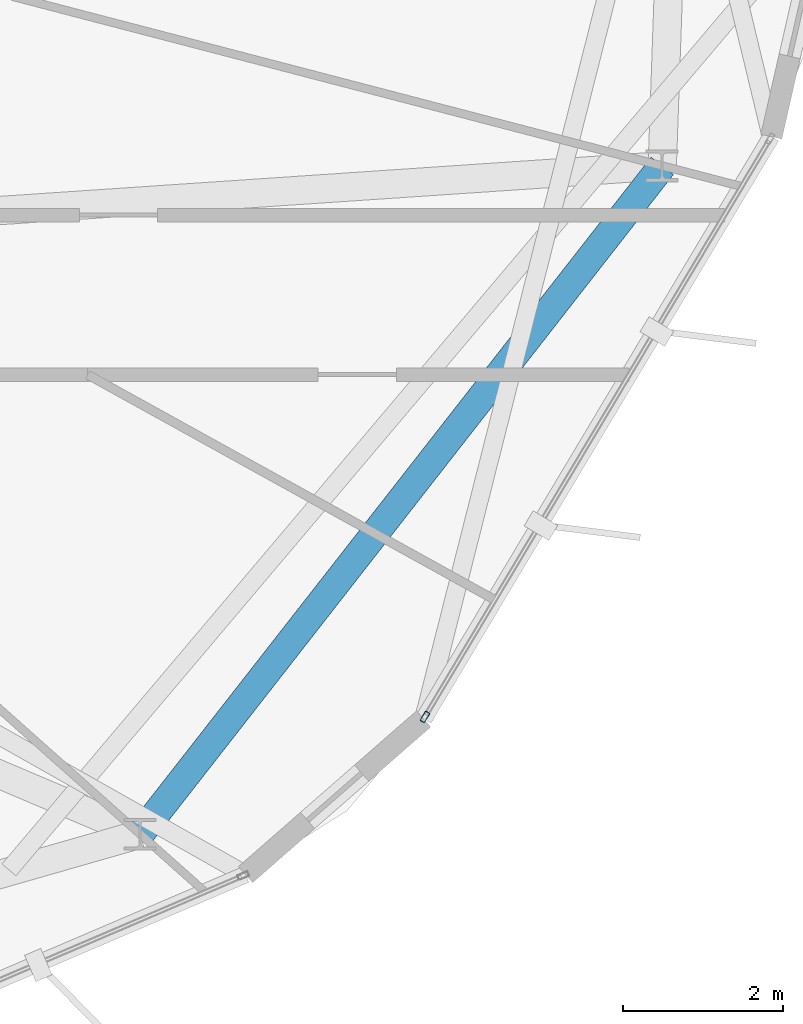
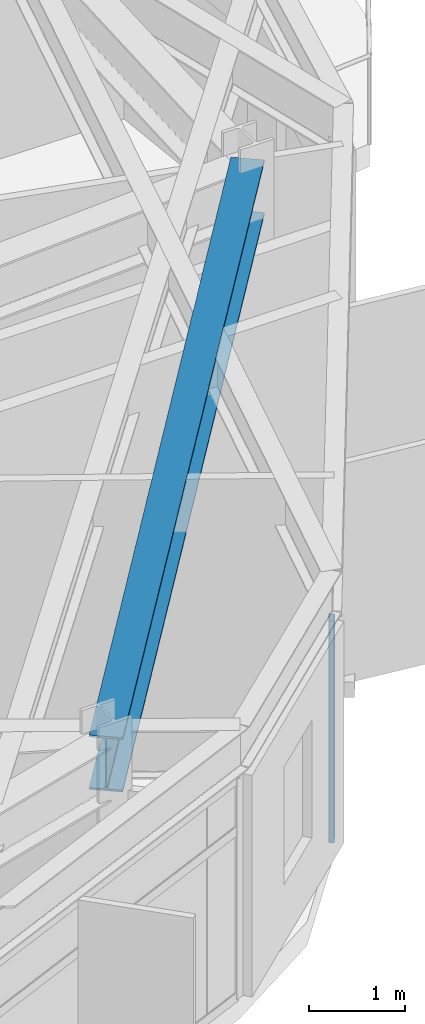
# One storey, part 10 of 23: 1 beam, 1 member, 1 element without a shape of its own.
"""IFC4 building model written with IfcOpenShell, lengths in metres."""

from ifc_helpers import new_model, si_unit, direction, frame, origin, origin_2d, place, context, subcontext, project, spatial, hollow_rectangle, i_section, extrude, material, layer, layer_set, material_profile, profile_set, type_object, element, aggregate, save


model = new_model("IFC4")

# Units and contexts
model_context = context("Model", 3, precision=1e-05, world=origin(), true_north=direction((0.0, 1.0)))
body_context = subcontext(model_context, "Body", "Model", "MODEL_VIEW")
ifc_project = project(units=[si_unit("LENGTHUNIT", "METRE"), si_unit("AREAUNIT", "SQUARE_METRE"), si_unit("VOLUMEUNIT", "CUBIC_METRE"), si_unit("PLANEANGLEUNIT", "RADIAN"), si_unit("MASSUNIT", "GRAM", prefix="KILO")], contexts=[model_context])

# Site, building, storey
site_placement = place(None, origin())
site = spatial("IfcSite", under=ifc_project, at=site_placement, CompositionType="ELEMENT")
building_placement = place(site_placement, origin())
building = spatial("IfcBuilding", under=site, at=building_placement, Name="Soratama Intermodal Tower", CompositionType="ELEMENT")
storey_placement = place(building_placement, frame((0.0, 0.0, 250.0)))
storey = spatial("IfcBuildingStorey", under=building, at=storey_placement, Name="L63", CompositionType="ELEMENT", Elevation=250.0)

# Beam
ifc_material_1 = material(Name="Structural steel ASTM A992 Grade 50", Category="steel")
ifc_material_profile_1 = material_profile(ifc_material_1, i_section(OverallWidth=0.35498046875, OverallDepth=0.695068359375, WebThickness=0.015380859375, FlangeThickness=0.02490234375, FilletRadius=0.01611328125, at=origin_2d()), Name="W27X146")
ifc_profile_set_1 = profile_set([ifc_material_profile_1], Name="Structural steel ASTM A992 Grade 50")
beam_type = type_object("IfcBeamType", Name="BM-RING-W27X146", PredefinedType="BEAM", material=ifc_profile_set_1)
beam_placement = place(storey_placement, frame((54.617919921875, 10.740966796875, 3.1025390625), z_axis=(0.6157278291, 0.787958907858, 0.0), x_axis=(-0.787958907858, 0.6157278291, 0.0)))
element("IfcBeam", 1, at=beam_placement, inside=storey, type_object=beam_type, Name="BM-L63-RING-09", PredefinedType="BEAM", context=body_context, shape_type="SweptSolid", body=[
    extrude(i_section(OverallWidth=0.35498046875, OverallDepth=0.695068359375, WebThickness=0.015380859375, FlangeThickness=0.02490234375, FilletRadius=0.01611328125, at=origin_2d()), origin(), (0.0, 0.0, 1.0), 10.6298828125),
])

# Curtain wall, member
ifc_material_2 = material(Name="Double-glazed aluminium curtain wall", Category="aluminium")
ifc_layer = layer(ifc_material_2, 0.159912109375)
ifc_layer_set = layer_set([ifc_layer], Name="Double-glazed aluminium curtain wall")
curtain_wall_type = type_object("IfcCurtainWallType", Name="CW-SYS-5", PredefinedType="NOTDEFINED", material=ifc_layer_set)
curtain_wall_placement = place(storey_placement, origin())
curtain_wall = element("IfcCurtainWall", 2, at=curtain_wall_placement, inside=storey, type_object=curtain_wall_type, Name="L63 Faceted Curtain Wall F08", PredefinedType="NOTDEFINED")
ifc_material_3 = material(Name="Anodised aluminium AA 6063-T6", Category="aluminium")
ifc_material_profile_2 = material_profile(ifc_material_3, hollow_rectangle(XDim=0.06494140625, YDim=0.139892578125, WallThickness=0.0048828125, InnerFilletRadius=0.0048828125, OuterFilletRadius=0.010009765625, at=origin_2d()), Name="CWM140X65X5")
ifc_profile_set_2 = profile_set([ifc_material_profile_2], Name="Anodised aluminium AA 6063-T6")
member_type = type_object("IfcMemberType", Name="MT-CWM-5", PredefinedType="MULLION", material=ifc_profile_set_2)
member_placement = place(storey_placement, frame((58.1884765625, 12.210693359375, 0.0), z_axis=(0.0, 0.0, 1.0), x_axis=(-0.85860167142, 0.512643316385, 0.0)))
member = element("IfcMember", 3, at=member_placement, type_object=member_type, Name="CW-5 mullion 1", PredefinedType="MULLION", context=body_context, shape_type="SweptSolid", body=[
    extrude(hollow_rectangle(XDim=0.06494140625, YDim=0.139892578125, WallThickness=0.0048828125, InnerFilletRadius=0.0048828125, OuterFilletRadius=0.010009765625, at=origin_2d()), origin(), (0.0, 0.0, 1.0), 2.8291015625),
])
aggregate(curtain_wall, [member])

save(model, "model.ifc")
